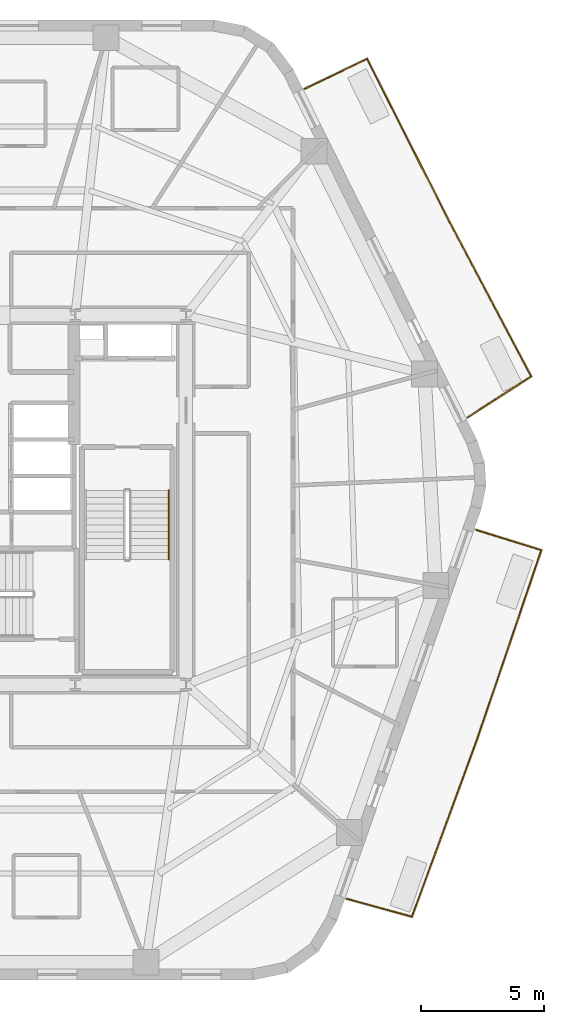
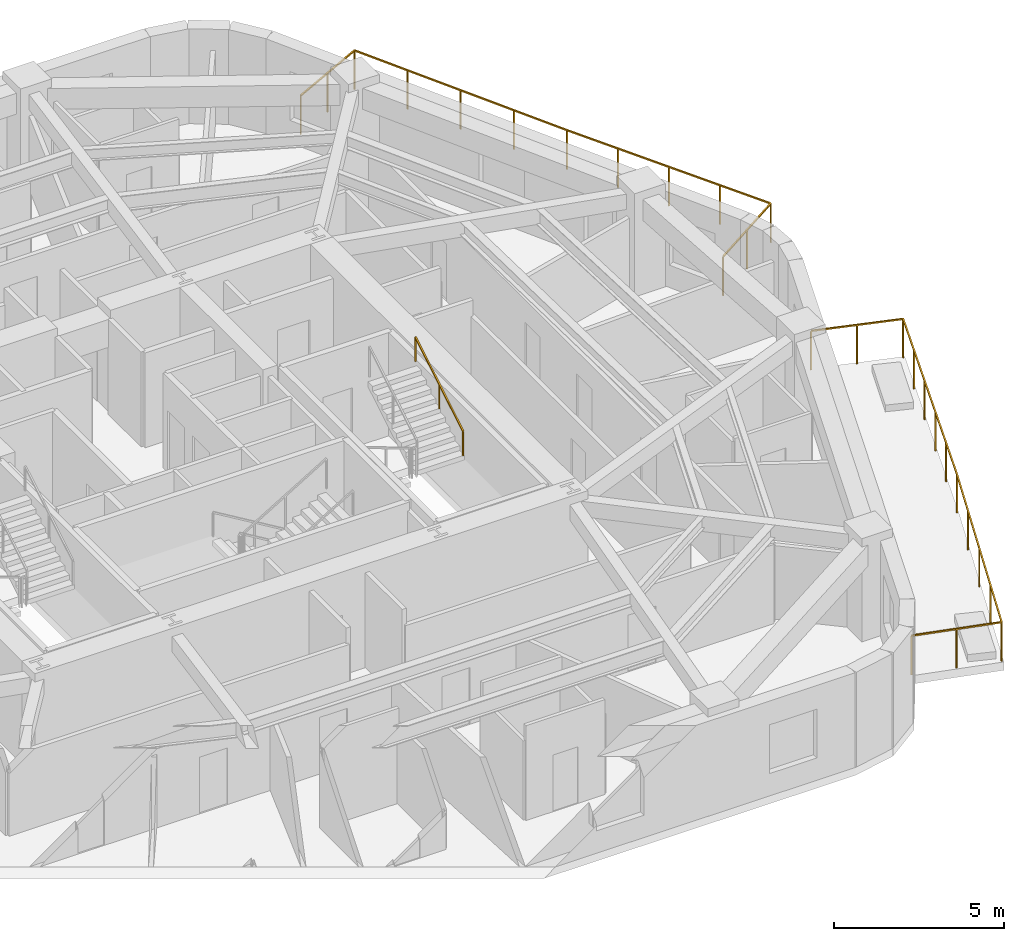
# One storey, part 10 of 10: 3 railings.
"""IFC4 building model written with IfcOpenShell, lengths in metres."""

from ifc_helpers import new_model, si_unit, direction, frame, origin, origin_2d, place, context, subcontext, project, spatial, rectangle, extrude, material, layer, layer_set, type_object, element, save


model = new_model("IFC4")

# Units and contexts
model_context = context("Model", 3, precision=1e-05, world=origin(), true_north=direction((0.0, 1.0)))
body_context = subcontext(model_context, "Body", "Model", "MODEL_VIEW")
ifc_project = project(units=[si_unit("LENGTHUNIT", "METRE"), si_unit("AREAUNIT", "SQUARE_METRE"), si_unit("VOLUMEUNIT", "CUBIC_METRE"), si_unit("PLANEANGLEUNIT", "RADIAN"), si_unit("MASSUNIT", "GRAM", prefix="KILO")], contexts=[model_context])

# Site, building, storey
site_placement = place(None, origin())
site = spatial("IfcSite", under=ifc_project, at=site_placement, CompositionType="ELEMENT")
building_placement = place(site_placement, origin())
building = spatial("IfcBuilding", under=site, at=building_placement, Name="Kilnhurst Terrace Hotel", CompositionType="ELEMENT")
storey_placement = place(building_placement, frame((0.0, 0.0, 183.0)))
storey = spatial("IfcBuildingStorey", under=building, at=storey_placement, Name="L45", CompositionType="ELEMENT", Elevation=183.0)

# Railings
ifc_material_1 = material(Name="Laminated SentryGlas and Stainless Steel AISI 316L Balustrade", Category="steel")
ifc_layer_1 = layer(ifc_material_1, 0.070068359375, Name="Laminated SentryGlas and Stainless Steel AISI 316L Balustrade")
ifc_layer_set_1 = layer_set([ifc_layer_1], Name="Laminated SentryGlas and Stainless Steel AISI 316L Balustrade")
railing_type_1 = type_object("IfcRailingType", Name="RLG-BAL-1420", PredefinedType="BALUSTRADE", material=ifc_layer_set_1)
railing_1_placement = place(storey_placement, frame((20.783935546875, -1.215087890625, 0.0)))
element("IfcRailing", 1, at=railing_1_placement, inside=storey, type_object=railing_type_1, Name="L45 Exterior Terrace Guardrail BAL-L1A.1", PredefinedType="BALUSTRADE", context=body_context, shape_type="SweptSolid", body=[
    extrude(rectangle(XDim=0.048095703125, YDim=0.048095703125, at=origin_2d()), frame((0.0, 0.0, 1.39599609375), z_axis=(0.954948187333, -0.29677257203, 0.0), x_axis=(0.29677257203, 0.954948187333, 0.0)), (0.0, 0.0, 1.0), 2.7763671875),
    extrude(rectangle(XDim=0.048095703125, YDim=0.048095703125, at=origin_2d()), frame((2.6513671875, -0.823974609375, 1.39599609375), z_axis=(-0.321641701575, -0.946861455445, 0.0), x_axis=(0.946861455445, -0.321641701575, 0.0)), (0.0, 0.0, 1.0), 8.082275390625),
    extrude(rectangle(XDim=0.048095703125, YDim=0.048095703125, at=origin_2d()), frame((0.0517578125, -8.476806640625, 1.39599609375), z_axis=(-0.344704120874, -0.938711387516, 0.0), x_axis=(0.938711387516, -0.344704120874, 0.0)), (0.0, 0.0, 1.0), 7.7080078125),
    extrude(rectangle(XDim=0.048095703125, YDim=0.048095703125, at=origin_2d()), frame((-2.605224609375, -15.71240234375, 1.39599609375), z_axis=(-0.964239560757, 0.265032204593, 0.0), x_axis=(-0.265032204593, -0.964239560757, 0.0)), (0.0, 0.0, 1.0), 2.739501953125),
    extrude(rectangle(XDim=0.0419921875, YDim=0.0419921875, at=origin_2d()), origin(), (0.0, 0.0, 1.0), 1.371826171875),
    extrude(rectangle(XDim=0.0419921875, YDim=0.0419921875, at=origin_2d()), frame((1.32568359375, -0.412109375, 0.0)), (0.0, 0.0, 1.0), 1.371826171875),
    extrude(rectangle(XDim=0.0419921875, YDim=0.0419921875, at=origin_2d()), frame((2.6513671875, -0.823974609375, 0.0)), (0.0, 0.0, 1.0), 1.371826171875),
    extrude(rectangle(XDim=0.0419921875, YDim=0.0419921875, at=origin_2d()), frame((2.13134765625, -2.3544921875, 0.0)), (0.0, 0.0, 1.0), 1.371826171875),
    extrude(rectangle(XDim=0.0419921875, YDim=0.0419921875, at=origin_2d()), frame((1.611572265625, -3.885009765625, 0.0)), (0.0, 0.0, 1.0), 1.371826171875),
    extrude(rectangle(XDim=0.0419921875, YDim=0.0419921875, at=origin_2d()), frame((1.091552734375, -5.415771484375, 0.0)), (0.0, 0.0, 1.0), 1.371826171875),
    extrude(rectangle(XDim=0.0419921875, YDim=0.0419921875, at=origin_2d()), frame((0.57177734375, -6.9462890625, 0.0)), (0.0, 0.0, 1.0), 1.371826171875),
    extrude(rectangle(XDim=0.0419921875, YDim=0.0419921875, at=origin_2d()), frame((0.0517578125, -8.476806640625, 0.0)), (0.0, 0.0, 1.0), 1.371826171875),
    extrude(rectangle(XDim=0.0419921875, YDim=0.0419921875, at=origin_2d()), frame((-0.612548828125, -10.28564453125, 0.0)), (0.0, 0.0, 1.0), 1.371826171875),
    extrude(rectangle(XDim=0.0419921875, YDim=0.0419921875, at=origin_2d()), frame((-1.27685546875, -12.0947265625, 0.0)), (0.0, 0.0, 1.0), 1.371826171875),
    extrude(rectangle(XDim=0.0419921875, YDim=0.0419921875, at=origin_2d()), frame((-1.94091796875, -13.903564453125, 0.0)), (0.0, 0.0, 1.0), 1.371826171875),
    extrude(rectangle(XDim=0.0419921875, YDim=0.0419921875, at=origin_2d()), frame((-2.605224609375, -15.71240234375, 0.0)), (0.0, 0.0, 1.0), 1.371826171875),
    extrude(rectangle(XDim=0.0419921875, YDim=0.0419921875, at=origin_2d()), frame((-3.926025390625, -15.349365234375, 0.0)), (0.0, 0.0, 1.0), 1.371826171875),
    extrude(rectangle(XDim=0.0419921875, YDim=0.0419921875, at=origin_2d()), frame((-5.246826171875, -14.986328125, 0.0)), (0.0, 0.0, 1.0), 1.371826171875),
])
railing_2_placement = place(storey_placement, frame((13.83544921875, 16.709716796875, 0.0)))
element("IfcRailing", 2, at=railing_2_placement, inside=storey, type_object=railing_type_1, Name="L45 Exterior Terrace Guardrail BAL-L1B.1", PredefinedType="BALUSTRADE", context=body_context, shape_type="SweptSolid", body=[
    extrude(rectangle(XDim=0.048095703125, YDim=0.048095703125, at=origin_2d()), frame((0.0, 0.0, 1.39599609375), z_axis=(0.901469931109, 0.43284173009, 0.0), x_axis=(-0.43284173009, 0.901469931109, 0.0)), (0.0, 0.0, 1.0), 2.797119140625),
    extrude(rectangle(XDim=0.048095703125, YDim=0.048095703125, at=origin_2d()), frame((2.521484375, 1.210693359375, 1.39599609375), z_axis=(0.450616671131, -0.892717545307, 0.0), x_axis=(0.892717545307, 0.450616671131, 0.0)), (0.0, 0.0, 1.0), 7.453857421875),
    extrude(rectangle(XDim=0.048095703125, YDim=0.048095703125, at=origin_2d()), frame((5.88037109375, -5.443603515625, 1.39599609375), z_axis=(0.4472135955, -0.894427191, 0.0), x_axis=(0.894427191, 0.4472135955, 0.0)), (0.0, 0.0, 1.0), 0.0009765625),
    extrude(rectangle(XDim=0.048095703125, YDim=0.048095703125, at=origin_2d()), frame((5.880859375, -5.444580078125, 1.39599609375), z_axis=(0.46789407085, -0.883784554325, 0.0), x_axis=(0.883784554325, 0.46789407085, 0.0)), (0.0, 0.0, 1.0), 7.0654296875),
    extrude(rectangle(XDim=0.048095703125, YDim=0.048095703125, at=origin_2d()), frame((9.186767578125, -11.68896484375, 1.39599609375), z_axis=(-0.841139546062, -0.540818143233, 0.0), x_axis=(0.540818143233, -0.841139546062, 0.0)), (0.0, 0.0, 1.0), 3.056640625),
    extrude(rectangle(XDim=0.0419921875, YDim=0.0419921875, at=origin_2d()), origin(), (0.0, 0.0, 1.0), 1.371826171875),
    extrude(rectangle(XDim=0.0419921875, YDim=0.0419921875, at=origin_2d()), frame((1.2607421875, 0.60546875, 0.0)), (0.0, 0.0, 1.0), 1.371826171875),
    extrude(rectangle(XDim=0.0419921875, YDim=0.0419921875, at=origin_2d()), frame((2.521484375, 1.210693359375, 0.0)), (0.0, 0.0, 1.0), 1.371826171875),
    extrude(rectangle(XDim=0.0419921875, YDim=0.0419921875, at=origin_2d()), frame((3.361328125, -0.452880859375, 0.0)), (0.0, 0.0, 1.0), 1.371826171875),
    extrude(rectangle(XDim=0.0419921875, YDim=0.0419921875, at=origin_2d()), frame((4.200927734375, -2.116455078125, 0.0)), (0.0, 0.0, 1.0), 1.371826171875),
    extrude(rectangle(XDim=0.0419921875, YDim=0.0419921875, at=origin_2d()), frame((5.04052734375, -3.780029296875, 0.0)), (0.0, 0.0, 1.0), 1.371826171875),
    extrude(rectangle(XDim=0.0419921875, YDim=0.0419921875, at=origin_2d()), frame((5.88037109375, -5.443603515625, 0.0)), (0.0, 0.0, 1.0), 1.371826171875),
    extrude(rectangle(XDim=0.0419921875, YDim=0.0419921875, at=origin_2d()), frame((5.880859375, -5.444580078125, 0.0)), (0.0, 0.0, 1.0), 1.371826171875),
    extrude(rectangle(XDim=0.0419921875, YDim=0.0419921875, at=origin_2d()), frame((6.707275390625, -7.005615234375, 0.0)), (0.0, 0.0, 1.0), 1.371826171875),
    extrude(rectangle(XDim=0.0419921875, YDim=0.0419921875, at=origin_2d()), frame((7.53369140625, -8.56689453125, 0.0)), (0.0, 0.0, 1.0), 1.371826171875),
    extrude(rectangle(XDim=0.0419921875, YDim=0.0419921875, at=origin_2d()), frame((8.3603515625, -10.1279296875, 0.0)), (0.0, 0.0, 1.0), 1.371826171875),
    extrude(rectangle(XDim=0.0419921875, YDim=0.0419921875, at=origin_2d()), frame((9.186767578125, -11.68896484375, 0.0)), (0.0, 0.0, 1.0), 1.371826171875),
    extrude(rectangle(XDim=0.0419921875, YDim=0.0419921875, at=origin_2d()), frame((7.9013671875, -12.515625, 0.0)), (0.0, 0.0, 1.0), 1.371826171875),
    extrude(rectangle(XDim=0.0419921875, YDim=0.0419921875, at=origin_2d()), frame((6.61572265625, -13.342041015625, 0.0)), (0.0, 0.0, 1.0), 1.371826171875),
])
ifc_material_2 = material(Name="Brushed Stainless Steel AISI 304", Category="steel")
ifc_layer_2 = layer(ifc_material_2, 0.048095703125, Name="Brushed Stainless Steel AISI 304")
ifc_layer_set_2 = layer_set([ifc_layer_2], Name="Brushed Stainless Steel AISI 304")
railing_type_2 = type_object("IfcRailingType", Name="RLG-ST-HRL-900", PredefinedType="HANDRAIL", material=ifc_layer_set_2)
railing_3_placement = place(storey_placement, frame((8.300048828125, -2.409912109375, 2.01806640625)))
element("IfcRailing", 3, at=railing_3_placement, inside=storey, type_object=railing_type_2, Name="L45 ST-2 stair handrail 2", PredefinedType="HANDRAIL", context=body_context, shape_type="SweptSolid", body=[
    extrude(rectangle(XDim=0.048095703125, YDim=0.048095703125, at=origin_2d()), frame((0.0, 0.0, 0.8759765625), z_axis=(0.0, 0.857222391501, 0.514946377315), x_axis=(-1.0, 0.0, 0.0)), (0.0, 0.0, 1.0), 3.26611328125),
    extrude(rectangle(XDim=0.0419921875, YDim=0.0419921875, at=origin_2d()), origin(), (0.0, 0.0, 1.0), 0.851806640625),
    extrude(rectangle(XDim=0.0419921875, YDim=0.0419921875, at=origin_2d()), frame((0.0, 1.39990234375, 0.8408203125)), (0.0, 0.0, 1.0), 0.851806640625),
    extrude(rectangle(XDim=0.0419921875, YDim=0.0419921875, at=origin_2d()), frame((0.0, 2.7998046875, 1.681884765625)), (0.0, 0.0, 1.0), 0.851806640625),
])

save(model, "model.ifc")
